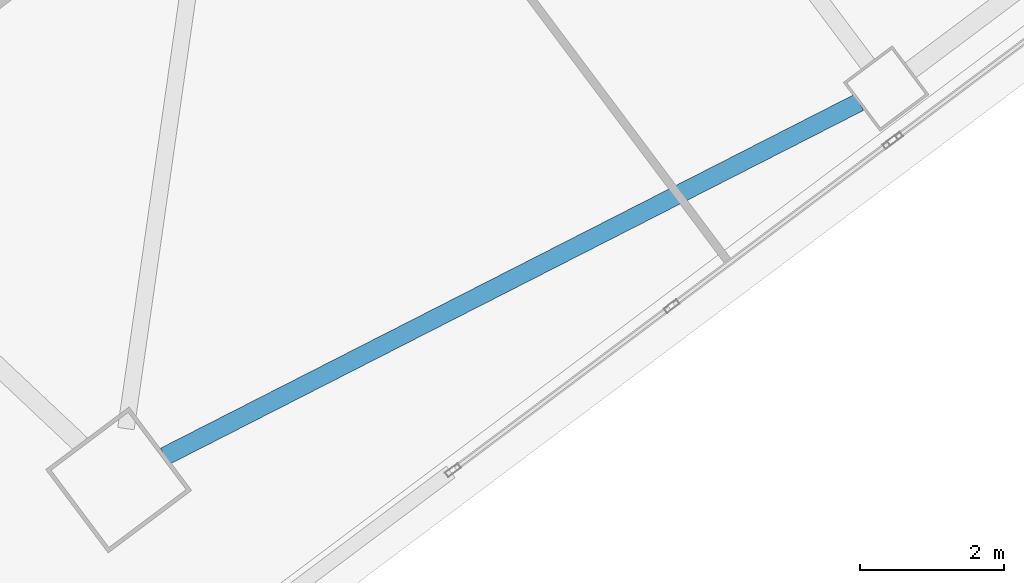
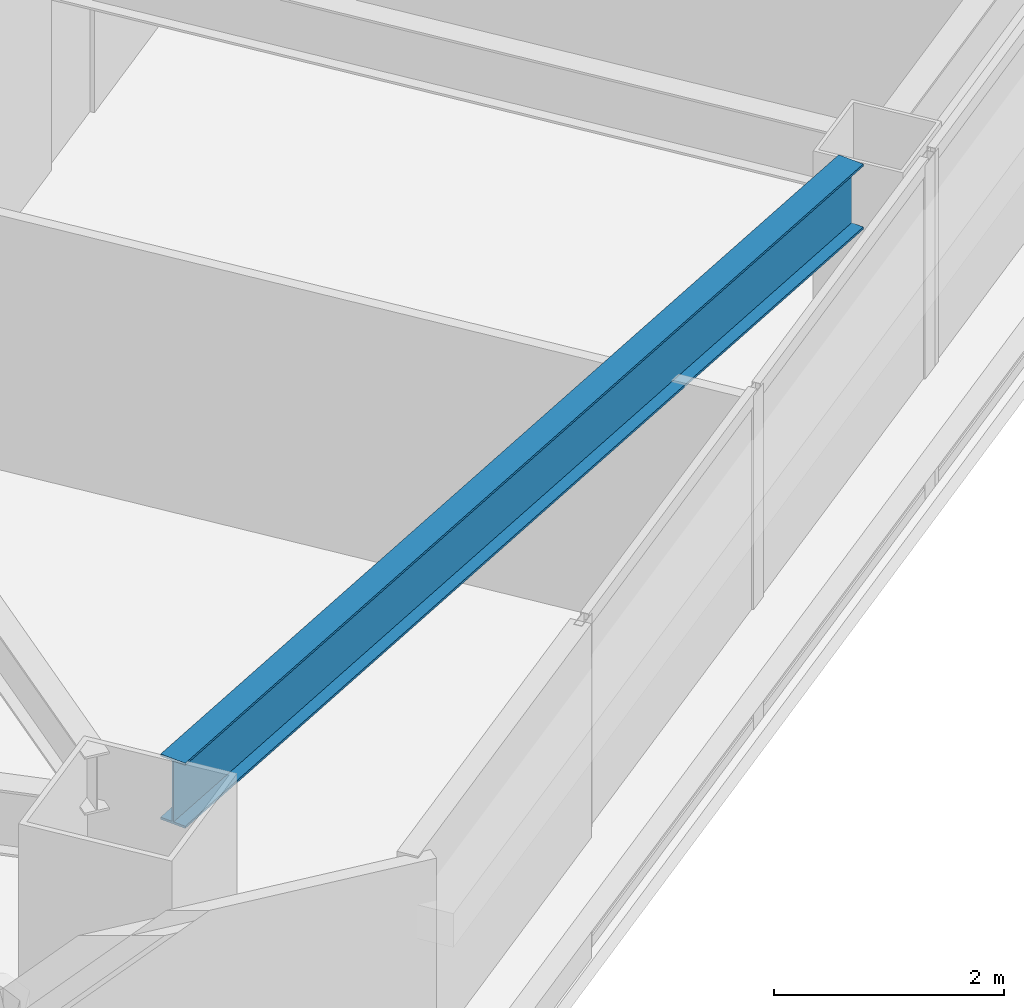
# One storey, part 21 of 49: 1 beam.
"""IFC4 building model written with IfcOpenShell, lengths in metres."""

from ifc_helpers import new_model, si_unit, direction, frame, origin, origin_2d, place, context, subcontext, project, spatial, i_section, extrude, material, material_profile, profile_set, type_object, element, save


model = new_model("IFC4")

# Units and contexts
model_context = context("Model", 3, precision=1e-05, world=origin(), true_north=direction((0.0, 1.0)))
body_context = subcontext(model_context, "Body", "Model", "MODEL_VIEW")
ifc_project = project(units=[si_unit("LENGTHUNIT", "METRE"), si_unit("AREAUNIT", "SQUARE_METRE"), si_unit("VOLUMEUNIT", "CUBIC_METRE"), si_unit("PLANEANGLEUNIT", "RADIAN"), si_unit("MASSUNIT", "GRAM", prefix="KILO")], contexts=[model_context])

# Site, building, storey
site_placement = place(None, origin())
site = spatial("IfcSite", under=ifc_project, at=site_placement, CompositionType="ELEMENT")
building_placement = place(site_placement, origin())
building = spatial("IfcBuilding", under=site, at=building_placement, Name="Tashvorn Skyway Center", CompositionType="ELEMENT")
storey_placement = place(building_placement, frame((0.0, 0.0, 70.75)))
storey = spatial("IfcBuildingStorey", under=building, at=storey_placement, Name="L18", CompositionType="ELEMENT", Elevation=70.75)

# Beam
ifc_material = material(Name="Steel ASTM A992 Grade 50", Category="steel")
ifc_material_profile = material_profile(ifc_material, i_section(OverallWidth=0.256103515625, OverallDepth=0.693115234375, WebThickness=0.014404296875, FlangeThickness=0.023681640625, at=origin_2d()), Name="W27X114")
ifc_profile_set = profile_set([ifc_material_profile], Name="Steel ASTM A992 Grade 50")
beam_type = type_object("IfcBeamType", Name="BM-SPANDREL-W27X114", PredefinedType="SPANDREL", material=ifc_profile_set)
beam_placement = place(storey_placement, frame((111.201416015625, 8.2470703125, 3.00341796875), z_axis=(0.890894170442, 0.454210938961, 0.0), x_axis=(-0.454210938961, 0.890894170442, 0.0)))
element("IfcBeam", 1, at=beam_placement, inside=storey, type_object=beam_type, Name="Tower 2 L18 Spandrel Beam 01", PredefinedType="SPANDREL", context=body_context, shape_type="SweptSolid", body=[
    extrude(i_section(OverallWidth=0.256103515625, OverallDepth=0.693115234375, WebThickness=0.014404296875, FlangeThickness=0.023681640625, at=origin_2d()), origin(), (0.0, 0.0, 1.0), 10.836669921875),
])

save(model, "model.ifc")
